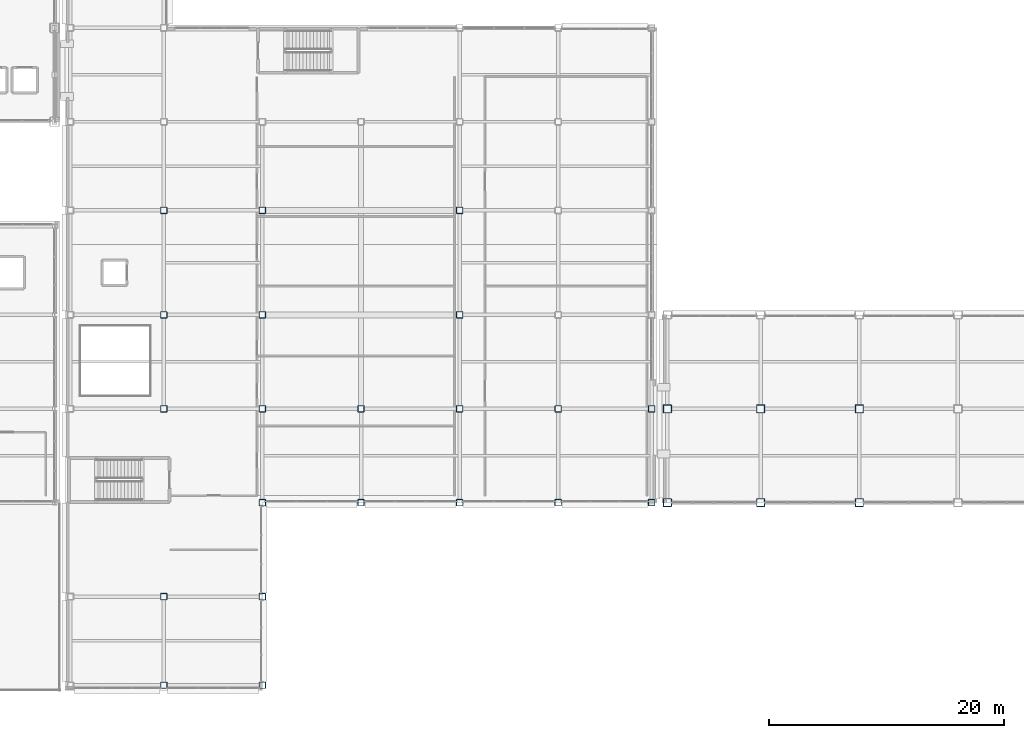
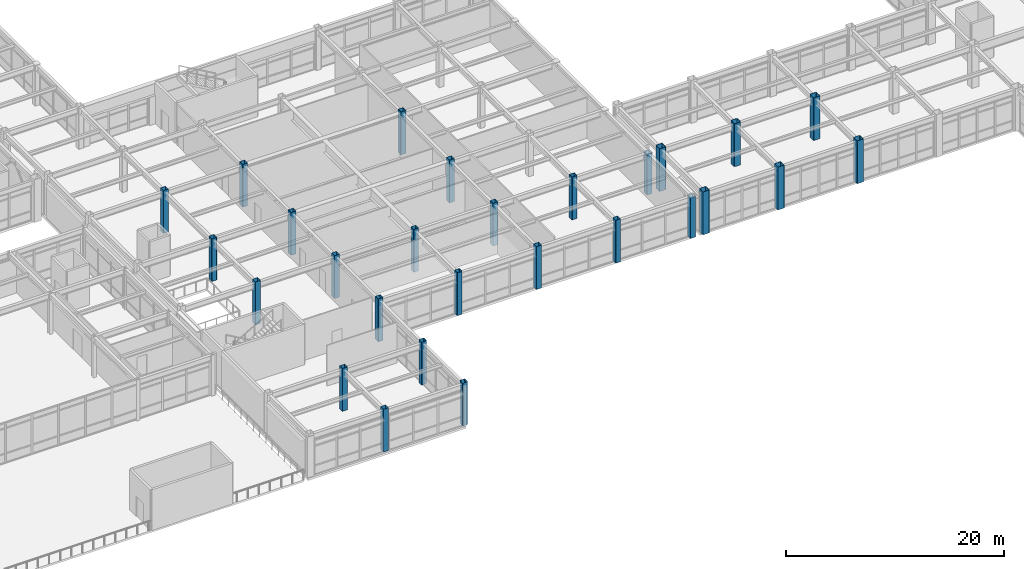
# One storey, part 4 of 154: 27 columns.
"""IFC4 building model written with IfcOpenShell, lengths in metres."""

from ifc_helpers import new_model, si_unit, direction, frame, origin, origin_2d, place, context, subcontext, project, spatial, hollow_rectangle, extrude, material, material_profile, profile_set, type_object, element, save


model = new_model("IFC4")

# Units and contexts
model_context = context("Model", 3, precision=1e-05, world=origin(), true_north=direction((0.0, 1.0)))
body_context = subcontext(model_context, "Body", "Model", "MODEL_VIEW")
ifc_project = project(units=[si_unit("LENGTHUNIT", "METRE"), si_unit("AREAUNIT", "SQUARE_METRE"), si_unit("VOLUMEUNIT", "CUBIC_METRE"), si_unit("PLANEANGLEUNIT", "RADIAN"), si_unit("MASSUNIT", "GRAM", prefix="KILO")], contexts=[model_context])

# Site, building, storey
site_placement = place(None, origin())
site = spatial("IfcSite", under=ifc_project, at=site_placement, CompositionType="ELEMENT")
building_placement = place(site_placement, origin())
building = spatial("IfcBuilding", under=site, at=building_placement, Name="Kazehara Bluff Congress Hotel", CompositionType="ELEMENT")
storey_placement = place(building_placement, frame((0.0, 0.0, 10.199951171875)))
storey = spatial("IfcBuildingStorey", under=building, at=storey_placement, Name="L02", CompositionType="ELEMENT", Elevation=10.199951171875)

# Columns
ifc_material_1 = material(Name="Steel BCR295", Category="steel")
ifc_material_profile_1 = material_profile(ifc_material_1, hollow_rectangle(XDim=0.699951171875, YDim=0.699951171875, WallThickness=0.028076171875, InnerFilletRadius=0.028076171875, OuterFilletRadius=0.055908203125, at=origin_2d()))
ifc_profile_set_1 = profile_set([ifc_material_profile_1], Name="Steel BCR295")
column_type_1 = type_object("IfcColumnType", Name="TP-C-03", PredefinedType="COLUMN", material=ifc_profile_set_1)
for number, where, z_axis, x_axis, name in (
    (1, (110.550048828125, 16.0, 0.0), (0.0, 0.0, 1.0), (1.0, 0.0, 0.0), "L02 column C-03 (110.55,16.00)"),
    (2, (110.550048828125, 24.0, 0.0), (0.0, 0.0, 1.0), (1.0, 0.0, 0.0), "L02 column C-03 (110.55,24.00)"),
    (3, (118.5, 16.0, 0.0), (0.0, 0.0, 1.0), (1.0, 0.0, 0.0), "L02 column C-03 (118.50,16.00)"),
    (4, (118.5, 24.0, 0.0), (0.0, 0.0, 1.0), (1.0, 0.0, 0.0), "L02 column C-03 (118.50,24.00)"),
    (5, (126.89990234375, 16.0, 0.0), (0.0, 0.0, 1.0), (1.0, 0.0, 0.0), "L02 column C-03 (126.90,16.00)"),
    (6, (126.89990234375, 24.0, 0.0), (0.0, 0.0, 1.0), (1.0, 0.0, 0.0), "L02 column C-03 (126.90,24.00)"),
):
    element("IfcColumn", number, at=place(storey_placement, frame(where, z_axis=z_axis, x_axis=x_axis)), inside=storey, type_object=column_type_1, Name=name, PredefinedType="COLUMN", context=body_context, shape_type="SweptSolid", body=[
        extrude(hollow_rectangle(XDim=0.699951171875, YDim=0.699951171875, WallThickness=0.028076171875, InnerFilletRadius=0.028076171875, OuterFilletRadius=0.055908203125, at=origin_2d()), origin(), (0.0, 0.0, 1.0), 4.800048828125),
    ])
ifc_material_2 = material(Name="Steel BCR295", Category="steel")
ifc_material_profile_2 = material_profile(ifc_material_2, hollow_rectangle(XDim=0.550048828125, YDim=0.550048828125, WallThickness=0.02197265625, InnerFilletRadius=0.02197265625, OuterFilletRadius=0.0439453125, at=origin_2d()))
ifc_profile_set_2 = profile_set([ifc_material_profile_2], Name="Steel BCR295")
column_type_2 = type_object("IfcColumnType", Name="TP-C-06", PredefinedType="COLUMN", material=ifc_profile_set_2)
for number, where, z_axis, x_axis, name in (
    (7, (67.64990234375, 0.449951171875, 0.0), (0.0, 0.0, 1.0), (1.0, 0.0, 0.0), "L02 column C-06 (67.65,0.45)"),
    (8, (67.64990234375, 8.0, 0.0), (0.0, 0.0, 1.0), (1.0, 0.0, 0.0), "L02 column C-06 (67.65,8.00)"),
    (9, (67.64990234375, 24.0, 0.0), (0.0, 0.0, 1.0), (1.0, 0.0, 0.0), "L02 column C-06 (67.65,24.00)"),
    (10, (67.64990234375, 32.0, 0.0), (0.0, 0.0, 1.0), (1.0, 0.0, 0.0), "L02 column C-06 (67.65,32.00)"),
    (11, (67.64990234375, 40.89990234375, 0.0), (0.0, 0.0, 1.0), (1.0, 0.0, 0.0), "L02 column C-06 (67.65,40.90)"),
    (12, (76.050048828125, 0.449951171875, 0.0), (0.0, 0.0, 1.0), (1.0, 0.0, 0.0), "L02 column C-06 (76.05,0.45)"),
    (13, (76.050048828125, 8.0, 0.0), (0.0, 0.0, 1.0), (1.0, 0.0, 0.0), "L02 column C-06 (76.05,8.00)"),
    (14, (76.050048828125, 16.0, 0.0), (0.0, 0.0, 1.0), (1.0, 0.0, 0.0), "L02 column C-06 (76.05,16.00)"),
    (15, (76.050048828125, 24.0, 0.0), (0.0, 0.0, 1.0), (1.0, 0.0, 0.0), "L02 column C-06 (76.05,24.00)"),
    (16, (76.050048828125, 32.0, 0.0), (0.0, 0.0, 1.0), (1.0, 0.0, 0.0), "L02 column C-06 (76.05,32.00)"),
    (17, (76.050048828125, 40.89990234375, 0.0), (0.0, 0.0, 1.0), (1.0, 0.0, 0.0), "L02 column C-06 (76.05,40.90)"),
    (18, (84.449951171875, 16.0, 0.0), (0.0, 0.0, 1.0), (1.0, 0.0, 0.0), "L02 column C-06 (84.45,16.00)"),
    (19, (84.449951171875, 24.0, 0.0), (0.0, 0.0, 1.0), (1.0, 0.0, 0.0), "L02 column C-06 (84.45,24.00)"),
    (20, (92.85009765625, 16.0, 0.0), (0.0, 0.0, 1.0), (1.0, 0.0, 0.0), "L02 column C-06 (92.85,16.00)"),
    (21, (92.85009765625, 24.0, 0.0), (0.0, 0.0, 1.0), (1.0, 0.0, 0.0), "L02 column C-06 (92.85,24.00)"),
    (22, (92.85009765625, 32.0, 0.0), (0.0, 0.0, 1.0), (1.0, 0.0, 0.0), "L02 column C-06 (92.85,32.00)"),
    (23, (92.85009765625, 40.89990234375, 0.0), (0.0, 0.0, 1.0), (1.0, 0.0, 0.0), "L02 column C-06 (92.85,40.90)"),
    (24, (101.25, 16.0, 0.0), (0.0, 0.0, 1.0), (1.0, 0.0, 0.0), "L02 column C-06 (101.25,16.00)"),
    (25, (101.25, 24.0, 0.0), (0.0, 0.0, 1.0), (1.0, 0.0, 0.0), "L02 column C-06 (101.25,24.00)"),
):
    element("IfcColumn", number, at=place(storey_placement, frame(where, z_axis=z_axis, x_axis=x_axis)), inside=storey, type_object=column_type_2, Name=name, PredefinedType="COLUMN", context=body_context, shape_type="SweptSolid", body=[
        extrude(hollow_rectangle(XDim=0.550048828125, YDim=0.550048828125, WallThickness=0.02197265625, InnerFilletRadius=0.02197265625, OuterFilletRadius=0.0439453125, at=origin_2d()), origin(), (0.0, 0.0, 1.0), 4.800048828125),
    ])
for number, where, z_axis, x_axis, name in (
    (26, (109.199951171875, 16.0, 0.0), (0.0, 0.0, 1.0), (1.0, 0.0, 0.0), "L02 column C-06 (109.20,16.00)"),
    (27, (109.199951171875, 24.0, 0.0), (0.0, 0.0, 1.0), (1.0, 0.0, 0.0), "L02 column C-06 (109.20,24.00)"),
):
    element("IfcColumn", number, at=place(storey_placement, frame(where, z_axis=z_axis, x_axis=x_axis)), inside=storey, type_object=column_type_2, Name=name, PredefinedType="COLUMN", context=body_context, shape_type="SweptSolid", body=[
        extrude(hollow_rectangle(XDim=0.550048828125, YDim=0.550048828125, WallThickness=0.02197265625, InnerFilletRadius=0.02197265625, OuterFilletRadius=0.0439453125, at=origin_2d()), origin(), (0.0, 0.0, 1.0), 4.56005859375),
    ])

save(model, "model.ifc")
